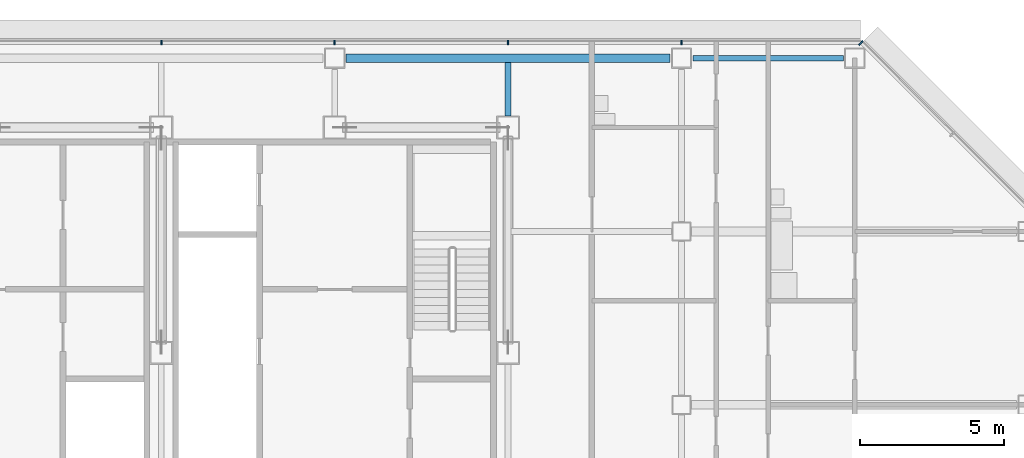
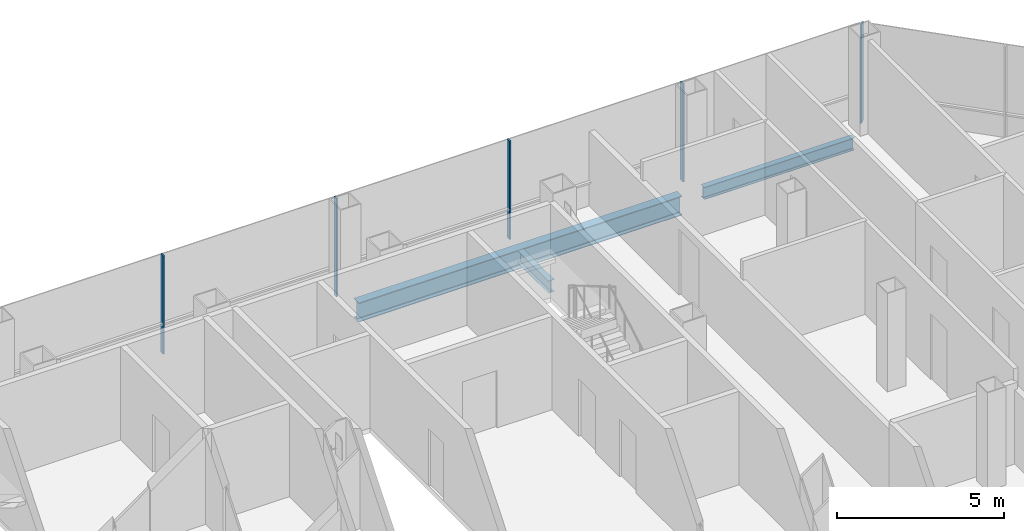
# One storey, part 14 of 26: 5 members, 3 beams, 2 elements without a shape of their own.
"""IFC4 building model written with IfcOpenShell, lengths in metres."""

from ifc_helpers import new_model, si_unit, direction, frame, origin, origin_2d, place, context, subcontext, project, spatial, rectangle, i_section, extrude, material, material_profile, profile_set, type_object, element, aggregate, save


model = new_model("IFC4")

# Units and contexts
model_context = context("Model", 3, precision=1e-05, world=origin(), true_north=direction((0.0, 1.0)))
body_context = subcontext(model_context, "Body", "Model", "MODEL_VIEW")
ifc_project = project(units=[si_unit("LENGTHUNIT", "METRE"), si_unit("AREAUNIT", "SQUARE_METRE"), si_unit("VOLUMEUNIT", "CUBIC_METRE"), si_unit("PLANEANGLEUNIT", "RADIAN"), si_unit("MASSUNIT", "GRAM", prefix="KILO")], contexts=[model_context])

# Site, building, storey
site_placement = place(None, origin())
site = spatial("IfcSite", under=ifc_project, at=site_placement, CompositionType="ELEMENT")
building_placement = place(site_placement, origin())
building = spatial("IfcBuilding", under=site, at=building_placement, Name="Sorahane Residences", CompositionType="ELEMENT")
storey_placement = place(building_placement, frame((0.0, 0.0, 147.39990234375)))
storey = spatial("IfcBuildingStorey", under=building, at=storey_placement, Name="L33", CompositionType="ELEMENT", Elevation=147.39990234375)

# Curtain wall, members
ifc_material_1 = material(Name="Dark low-e glass and black anodised aluminium", Category="aluminium")
curtain_wall_type_1 = type_object("IfcCurtainWallType", Name="Curtain wall CW-1 Typical unitised wall", PredefinedType="NOTDEFINED", material=ifc_material_1)
curtain_wall_1_placement = place(storey_placement, origin())
curtain_wall_1 = element("IfcCurtainWall", 1, at=curtain_wall_1_placement, inside=storey, type_object=curtain_wall_type_1, Name="CW-1 curtain wall L33 N1", PredefinedType="NOTDEFINED")
ifc_material_2 = material(Name="Black anodised aluminium", Category="aluminium")
ifc_material_profile_1 = material_profile(ifc_material_2, rectangle(XDim=0.159912109375, YDim=0.050048828125, at=origin_2d()), Name="Curtain wall mullion CW-1 black anodised aluminium 50x160")
ifc_profile_set_1 = profile_set([ifc_material_profile_1], Name="Black anodised aluminium")
member_type_1 = type_object("IfcMemberType", Name="Curtain wall mullion CW-1 black anodised aluminium 50x160", PredefinedType="MULLION", material=ifc_profile_set_1)
member_1_placement = place(storey_placement, frame((48.0, 48.5400390625, -0.179931640625), z_axis=(0.0, 0.0, 1.0), x_axis=(0.0, 1.0, 0.0)))
member_1 = element("IfcMember", 2, at=member_1_placement, type_object=member_type_1, Name="CW-1 mullion L33 N1.2", PredefinedType="MULLION", context=body_context, shape_type="SweptSolid", body=[
    extrude(rectangle(XDim=0.159912109375, YDim=0.050048828125, at=origin_2d()), origin(), (0.0, 0.0, 1.0), 3.60009765625),
])
member_2_placement = place(storey_placement, frame((42.0, 48.5400390625, -0.179931640625), z_axis=(0.0, 0.0, 1.0), x_axis=(0.0, 1.0, 0.0)))
member_2 = element("IfcMember", 3, at=member_2_placement, type_object=member_type_1, Name="CW-1 mullion L33 N1.3", PredefinedType="MULLION", context=body_context, shape_type="SweptSolid", body=[
    extrude(rectangle(XDim=0.159912109375, YDim=0.050048828125, at=origin_2d()), origin(), (0.0, 0.0, 1.0), 3.60009765625),
])
member_3_placement = place(storey_placement, frame((36.0, 48.5400390625, -0.179931640625), z_axis=(0.0, 0.0, 1.0), x_axis=(0.0, 1.0, 0.0)))
member_3 = element("IfcMember", 4, at=member_3_placement, type_object=member_type_1, Name="CW-1 mullion L33 N1.4", PredefinedType="MULLION", context=body_context, shape_type="SweptSolid", body=[
    extrude(rectangle(XDim=0.159912109375, YDim=0.050048828125, at=origin_2d()), origin(), (0.0, 0.0, 1.0), 3.60009765625),
])
member_4_placement = place(storey_placement, frame((30.0, 48.5400390625, -0.179931640625), z_axis=(0.0, 0.0, 1.0), x_axis=(0.0, 1.0, 0.0)))
member_4 = element("IfcMember", 5, at=member_4_placement, type_object=member_type_1, Name="CW-1 mullion L33 N1.5", PredefinedType="MULLION", context=body_context, shape_type="SweptSolid", body=[
    extrude(rectangle(XDim=0.159912109375, YDim=0.050048828125, at=origin_2d()), origin(), (0.0, 0.0, 1.0), 3.60009765625),
])
aggregate(curtain_wall_1, [member_1, member_2, member_3, member_4])

# Curtain wall, member
ifc_material_3 = material(Name="Dark low-e glass and black anodised aluminium", Category="aluminium")
curtain_wall_type_2 = type_object("IfcCurtainWallType", Name="Curtain wall CW-2 Chamfer unitised wall", PredefinedType="NOTDEFINED", material=ifc_material_3)
curtain_wall_2_placement = place(storey_placement, origin())
curtain_wall_2 = element("IfcCurtainWall", 6, at=curtain_wall_2_placement, inside=storey, type_object=curtain_wall_type_2, Name="CW-2 curtain wall L33 NE1", PredefinedType="NOTDEFINED")
ifc_material_4 = material(Name="Black anodised aluminium", Category="aluminium")
ifc_material_profile_2 = material_profile(ifc_material_4, rectangle(XDim=0.199951171875, YDim=0.050048828125, at=origin_2d()), Name="Curtain wall mullion CW-2 black anodised aluminium 50x200")
ifc_profile_set_2 = profile_set([ifc_material_profile_2], Name="Black anodised aluminium")
member_type_2 = type_object("IfcMemberType", Name="Curtain wall mullion CW-2 black anodised aluminium 50x200", PredefinedType="MULLION", material=ifc_profile_set_2)
member_5_placement = place(storey_placement, frame((54.209716796875, 48.525634765625, -0.179931640625), z_axis=(0.0, 0.0, 1.0), x_axis=(0.707106781187, 0.707106781187, 0.0)))
member_5 = element("IfcMember", 7, at=member_5_placement, type_object=member_type_2, Name="CW-2 mullion L33 NE1.3", PredefinedType="MULLION", context=body_context, shape_type="SweptSolid", body=[
    extrude(rectangle(XDim=0.199951171875, YDim=0.050048828125, at=origin_2d()), origin(), (0.0, 0.0, 1.0), 3.60009765625),
])
aggregate(curtain_wall_2, [member_5])

# Beams
ifc_material_5 = material(Name="Steel Q355B", Category="steel")
ifc_material_profile_3 = material_profile(ifc_material_5, i_section(OverallWidth=0.199951171875, OverallDepth=0.449951171875, WebThickness=0.009033203125, FlangeThickness=0.013916015625, FilletRadius=0.02001953125, at=origin_2d()), Name="HN 450x200x9x14")
ifc_profile_set_3 = profile_set([ifc_material_profile_3], Name="Steel Q355B")
beam_type_1 = type_object("IfcBeamType", Name="Steel floor beam HN 450x200x9x14 Q355B", PredefinedType="BEAM", material=ifc_profile_set_3)
beam_1_placement = place(storey_placement, frame((48.39990234375, 48.0, -0.40478515625), z_axis=(1.0, 0.0, 0.0), x_axis=(0.0, 1.0, 0.0)))
element("IfcBeam", 8, at=beam_1_placement, inside=storey, type_object=beam_type_1, Name="Beam L33 019", PredefinedType="BEAM", context=body_context, shape_type="SweptSolid", body=[
    extrude(i_section(OverallWidth=0.199951171875, OverallDepth=0.449951171875, WebThickness=0.009033203125, FlangeThickness=0.013916015625, FilletRadius=0.02001953125, at=origin_2d()), origin(), (0.0, 0.0, 1.0), 5.2001953125),
])
beam_2_placement = place(storey_placement, frame((42.0, 46.0, -0.40478515625), z_axis=(0.0, 1.0, 0.0), x_axis=(-1.0, 0.0, 0.0)))
element("IfcBeam", 9, at=beam_2_placement, inside=storey, type_object=beam_type_1, Name="Beam L33 057", PredefinedType="BEAM", context=body_context, shape_type="SweptSolid", body=[
    extrude(i_section(OverallWidth=0.199951171875, OverallDepth=0.449951171875, WebThickness=0.009033203125, FlangeThickness=0.013916015625, FilletRadius=0.02001953125, at=origin_2d()), origin(), (0.0, 0.0, 1.0), 1.85009765625),
])
ifc_material_6 = material(Name="Steel Q355B", Category="steel")
ifc_material_profile_4 = material_profile(ifc_material_6, i_section(OverallWidth=0.300048828125, OverallDepth=0.699951171875, WebThickness=0.012939453125, FlangeThickness=0.02392578125, FilletRadius=0.028076171875, at=origin_2d()), Name="HN 700x300x13x24")
ifc_profile_set_4 = profile_set([ifc_material_profile_4], Name="Steel Q355B")
beam_type_2 = type_object("IfcBeamType", Name="Steel floor beam HN 700x300x13x24 Q355B", PredefinedType="BEAM", material=ifc_profile_set_4)
beam_3_placement = place(storey_placement, frame((36.39990234375, 48.0, -0.52978515625), z_axis=(1.0, 0.0, 0.0), x_axis=(0.0, 1.0, 0.0)))
element("IfcBeam", 10, at=beam_3_placement, inside=storey, type_object=beam_type_2, Name="Beam L33 018", PredefinedType="BEAM", context=body_context, shape_type="SweptSolid", body=[
    extrude(i_section(OverallWidth=0.300048828125, OverallDepth=0.699951171875, WebThickness=0.012939453125, FlangeThickness=0.02392578125, FilletRadius=0.028076171875, at=origin_2d()), origin(), (0.0, 0.0, 1.0), 11.2001953125),
])

save(model, "model.ifc")
